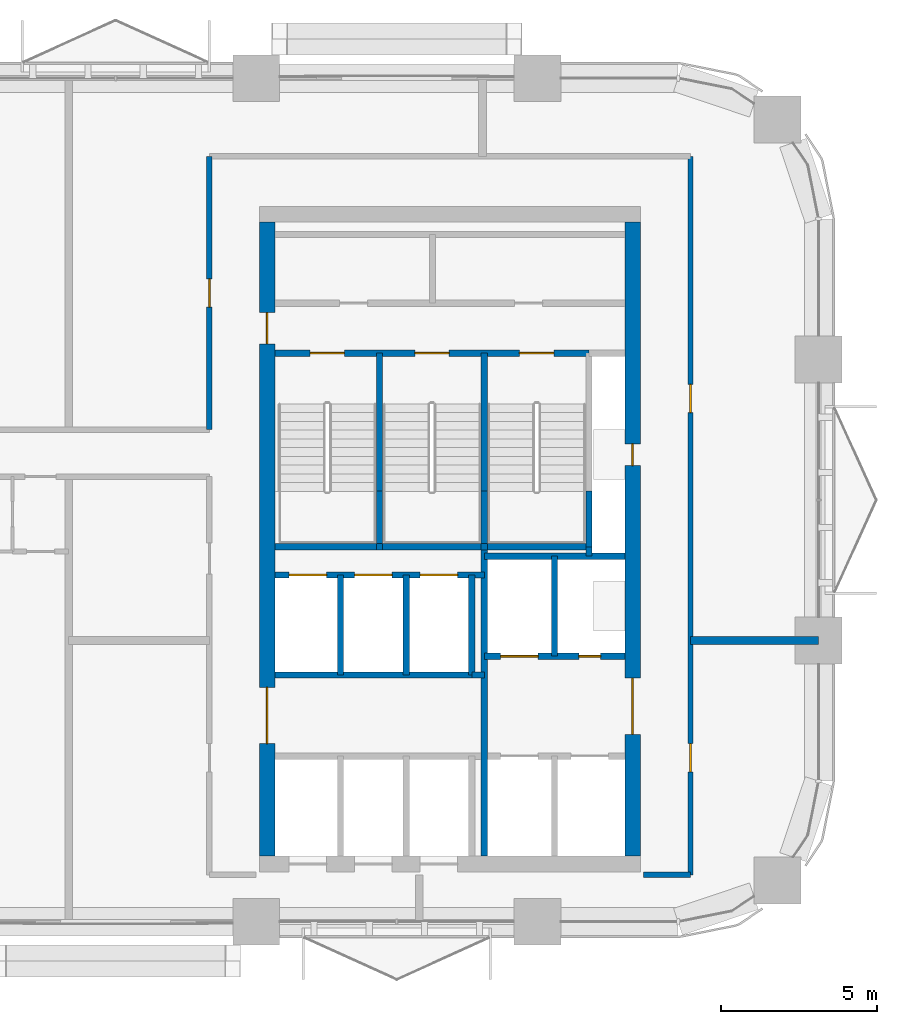
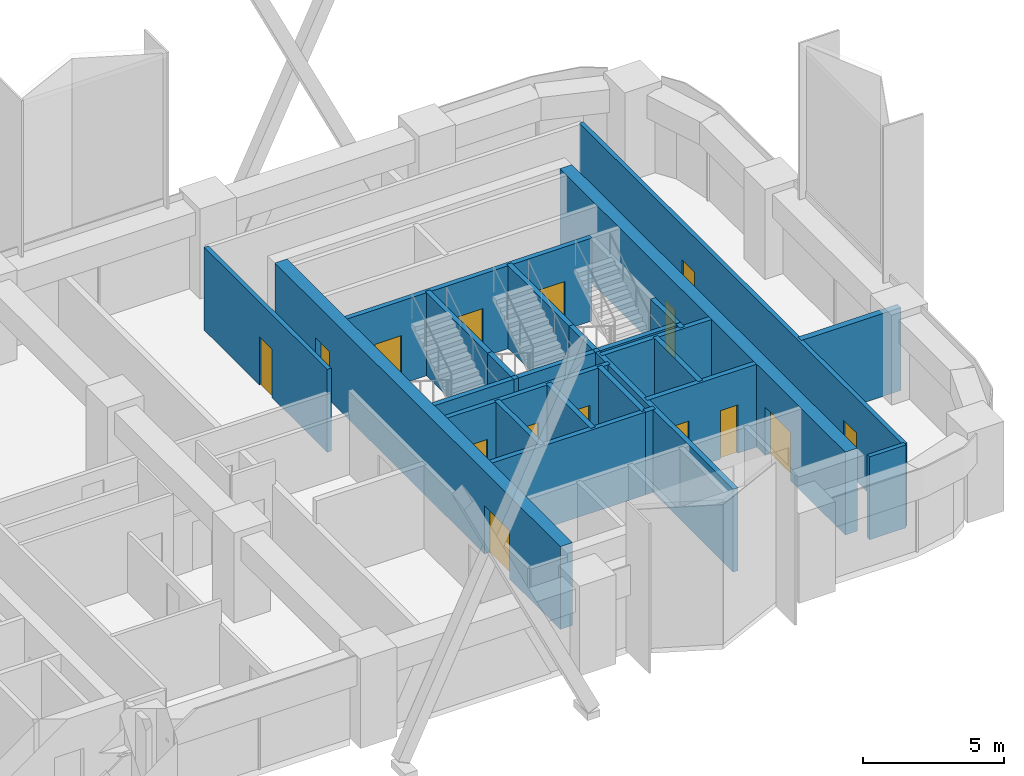
# One storey, part 11 of 14: 28 walls, 15 doors, 15 openings.
"""IFC4 building model written with IfcOpenShell, lengths in metres."""

from ifc_helpers import new_model, si_unit, direction, frame, frame_2d, origin, place, context, subcontext, project, spatial, rectangle, extrude, material, layer, layer_set, type_object, element, fill, save


model = new_model("IFC4")

# Units and contexts
model_context = context("Model", 3, precision=1e-05, world=origin(), true_north=direction((0.0, 1.0)))
body_context = subcontext(model_context, "Body", "Model", "MODEL_VIEW")
ifc_project = project(units=[si_unit("LENGTHUNIT", "METRE"), si_unit("AREAUNIT", "SQUARE_METRE"), si_unit("VOLUMEUNIT", "CUBIC_METRE"), si_unit("PLANEANGLEUNIT", "RADIAN"), si_unit("MASSUNIT", "GRAM", prefix="KILO")], contexts=[model_context])

# Site, building, storey
site_placement = place(None, origin())
site = spatial("IfcSite", under=ifc_project, at=site_placement, CompositionType="ELEMENT")
building_placement = place(site_placement, origin())
building = spatial("IfcBuilding", under=site, at=building_placement, Name="Tessera Arch", CompositionType="ELEMENT")
storey_placement = place(building_placement, frame((0.0, 0.0, 150.5)))
storey = spatial("IfcBuildingStorey", under=building, at=storey_placement, Name="L35", CompositionType="ELEMENT", Elevation=150.5)

# Wall
ifc_material_1 = material(Name="Gypsum board on steel stud", Category="steel")
ifc_layer_1 = layer(ifc_material_1, 0.125)
ifc_layer_set_1 = layer_set([ifc_layer_1], Name="Core partition 125 EI 60")
wall_type_1 = type_object("IfcWallType", Name="Core partition 125 EI 60", PredefinedType="PARTITIONING", material=ifc_layer_set_1)
wall_1_placement = place(storey_placement, frame((42.89990234375, 34.89990234375, 0.0), z_axis=(0.0, 0.0, 1.0), x_axis=(1.0, 0.0, 0.0)))
element("IfcWall", 1, at=wall_1_placement, inside=storey, type_object=wall_type_1, Name="L35 C1 partition wall 19", PredefinedType="PARTITIONING", context=body_context, shape_type="SweptSolid", body=[
    extrude(rectangle(XDim=0.400146484375, YDim=0.199951171875, at=frame_2d((0.2001953125, 0.0))), origin(), (0.0, 0.0, 1.0), 3.60009765625),
])

# Wall, openings, doors
ifc_material_2 = material(Name="Concrete C60/75", Category="concrete")
ifc_layer_2 = layer(ifc_material_2, 0.5)
ifc_layer_set_2 = layer_set([ifc_layer_2], Name="Core shell wall 500 C60-75")
wall_type_2 = type_object("IfcWallType", Name="Core shell wall 500 C60-75", PredefinedType="SHEAR", material=ifc_layer_set_2)
wall_2_placement = place(storey_placement, frame((36.35009765625, 29.10009765625, 0.0), z_axis=(0.0, 0.0, 1.0), x_axis=(0.0, 1.0, 0.0)))
wall_2 = element("IfcWall", 2, at=wall_2_placement, inside=storey, type_object=wall_type_2, Name="L35 C1 core wall W", PredefinedType="SHEAR", context=body_context, shape_type="SweptSolid", body=[
    extrude(rectangle(XDim=20.2998046875, YDim=0.5, at=frame_2d((10.14990234375, 0.0))), origin(), (0.0, 0.0, 1.0), 3.60009765625),
])
opening_1_placement = place(wall_2_placement, frame((3.60009765625, 0.0, 0.0)))
opening_1 = element("IfcOpeningElement", 3, at=opening_1_placement, cuts=wall_2, Name="Opening L35-C10", PredefinedType="OPENING", context=body_context, shape_type="SweptSolid", body=[
    extrude(rectangle(XDim=1.800048828125, YDim=2.10009765625, at=frame_2d((0.89990234375, 1.050048828125))), frame((0.0, 0.260009765625, 0.0), z_axis=(0.0, -1.0, 0.0), x_axis=(1.0, 0.0, 0.0)), (0.0, 0.0, 1.0), 0.52001953125),
])
opening_2_placement = place(wall_2_placement, frame((16.39990234375, 0.0, 0.0)))
opening_2 = element("IfcOpeningElement", 4, at=opening_2_placement, cuts=wall_2, Name="Opening L35-C17", PredefinedType="OPENING", context=body_context, shape_type="SweptSolid", body=[
    extrude(rectangle(XDim=1.0, YDim=2.10009765625, at=frame_2d((0.5, 1.050048828125))), frame((0.0, 0.260009765625, 0.0), z_axis=(0.0, -1.0, 0.0), x_axis=(1.0, 0.0, 0.0)), (0.0, 0.0, 1.0), 0.52001953125),
])
ifc_material_3 = material(Name="Steel door leaf", Category="steel")
door_type_1 = type_object("IfcDoorType", Name="Corridor door FD60 1000 x 2100", OperationType="SINGLE_SWING_LEFT", PredefinedType="DOOR", material=ifc_material_3)
door_1_placement = place(opening_2_placement, origin())
door_1 = element("IfcDoor", 5, at=door_1_placement, inside=storey, type_object=door_type_1, Name="L35 C1 door 17 C17 type D12", OperationType="SINGLE_SWING_RIGHT", OverallHeight=2.10009765625, OverallWidth=1.0, PredefinedType="DOOR", context=body_context, shape_type="SweptSolid", body=[
    extrude(rectangle(XDim=1.0, YDim=2.10009765625, at=frame_2d((0.5, 1.050048828125))), frame((0.0, 0.02490234375, 0.0), z_axis=(0.0, -1.0, 0.0), x_axis=(1.0, 0.0, 0.0)), (0.0, 0.0, 1.0), 0.050048828125),
])
fill(opening_2, door_1)
ifc_material_4 = material(Name="Glazed steel door leaf", Category="steel")
door_type_2 = type_object("IfcDoorType", Name="Lobby double door FD30S 1800 x 2100", OperationType="DOUBLE_DOOR_SINGLE_SWING", PredefinedType="DOOR", material=ifc_material_4)
door_2_placement = place(opening_1_placement, origin())
door_2 = element("IfcDoor", 6, at=door_2_placement, inside=storey, type_object=door_type_2, Name="L35 C1 door 10 C10 type D06", OperationType="DOUBLE_DOOR_SINGLE_SWING", OverallHeight=2.10009765625, OverallWidth=1.800048828125, PredefinedType="DOOR", context=body_context, shape_type="SweptSolid", body=[
    extrude(rectangle(XDim=1.800048828125, YDim=2.10009765625, at=frame_2d((0.89990234375, 1.050048828125))), frame((0.0, 0.02490234375, 0.0), z_axis=(0.0, -1.0, 0.0), x_axis=(1.0, 0.0, 0.0)), (0.0, 0.0, 1.0), 0.050048828125),
])
fill(opening_1, door_2)

wall_3_placement = place(storey_placement, frame((48.050048828125, 29.10009765625, 0.0), z_axis=(0.0, 0.0, 1.0), x_axis=(0.0, 1.0, 0.0)))
wall_3 = element("IfcWall", 7, at=wall_3_placement, inside=storey, type_object=wall_type_2, Name="L35 C1 core wall E", PredefinedType="SHEAR", context=body_context, shape_type="SweptSolid", body=[
    extrude(rectangle(XDim=20.2998046875, YDim=0.5, at=frame_2d((10.14990234375, 0.0))), origin(), (0.0, 0.0, 1.0), 3.60009765625),
])
opening_3_placement = place(wall_3_placement, frame((12.5, 0.0, 0.0)))
opening_3 = element("IfcOpeningElement", 8, at=opening_3_placement, cuts=wall_3, Name="Opening L35-C14", PredefinedType="OPENING", context=body_context, shape_type="SweptSolid", body=[
    extrude(rectangle(XDim=0.699951171875, YDim=2.10009765625, at=frame_2d((0.35009765625, 1.050048828125))), frame((0.0, 0.260009765625, 0.0), z_axis=(0.0, -1.0, 0.0), x_axis=(1.0, 0.0, 0.0)), (0.0, 0.0, 1.0), 0.52001953125),
])
opening_4_placement = place(wall_3_placement, frame((3.89990234375, 0.0, 0.0)))
opening_4 = element("IfcOpeningElement", 9, at=opening_4_placement, cuts=wall_3, Name="Opening L35-C15", PredefinedType="OPENING", context=body_context, shape_type="SweptSolid", body=[
    extrude(rectangle(XDim=1.800048828125, YDim=2.10009765625, at=frame_2d((0.89990234375, 1.050048828125))), frame((0.0, 0.260009765625, 0.0), z_axis=(0.0, -1.0, 0.0), x_axis=(1.0, 0.0, 0.0)), (0.0, 0.0, 1.0), 0.52001953125),
])
ifc_material_5 = material(Name="Glazed steel door leaf", Category="steel")
door_type_3 = type_object("IfcDoorType", Name="Lobby double door FD60 1800 x 2100", OperationType="DOUBLE_DOOR_SINGLE_SWING", PredefinedType="DOOR", material=ifc_material_5)
door_3_placement = place(opening_4_placement, origin())
door_3 = element("IfcDoor", 10, at=door_3_placement, inside=storey, type_object=door_type_3, Name="L35 C1 door 15 C15 type D19", OperationType="DOUBLE_DOOR_SINGLE_SWING", OverallHeight=2.10009765625, OverallWidth=1.800048828125, PredefinedType="DOOR", context=body_context, shape_type="SweptSolid", body=[
    extrude(rectangle(XDim=1.800048828125, YDim=2.10009765625, at=frame_2d((0.89990234375, 1.050048828125))), frame((0.0, 0.02490234375, 0.0), z_axis=(0.0, -1.0, 0.0), x_axis=(1.0, 0.0, 0.0)), (0.0, 0.0, 1.0), 0.050048828125),
])
fill(opening_4, door_3)
ifc_material_6 = material(Name="Steel door leaf", Category="steel")
door_type_4 = type_object("IfcDoorType", Name="Service shaft door FD60 700 x 2100", OperationType="SINGLE_SWING_LEFT", PredefinedType="DOOR", material=ifc_material_6)
door_4_placement = place(opening_3_placement, origin())
door_4 = element("IfcDoor", 11, at=door_4_placement, inside=storey, type_object=door_type_4, Name="L35 C1 door 14 C14 type D07", OperationType="SINGLE_SWING_RIGHT", OverallHeight=2.10009765625, OverallWidth=0.699951171875, PredefinedType="DOOR", context=body_context, shape_type="SweptSolid", body=[
    extrude(rectangle(XDim=0.699951171875, YDim=2.10009765625, at=frame_2d((0.35009765625, 1.050048828125))), frame((0.0, 0.02490234375, 0.0), z_axis=(0.0, -1.0, 0.0), x_axis=(1.0, 0.0, 0.0)), (0.0, 0.0, 1.0), 0.050048828125),
])
fill(opening_3, door_4)

# Wall
ifc_material_7 = material(Name="Gypsum board on deep steel stud with mineral wool", Category="steel")
ifc_layer_3 = layer(ifc_material_7, 0.175048828125)
ifc_layer_set_3 = layer_set([ifc_layer_3], Name="Corridor wall 175 EI 60")
wall_type_3 = type_object("IfcWallType", Name="Corridor wall 175 EI 60", PredefinedType="PARTITIONING", material=ifc_layer_set_3)
wall_4_placement = place(storey_placement, frame((48.39990234375, 28.5, 0.0), z_axis=(0.0, 0.0, 1.0), x_axis=(1.0, 0.0, 0.0)))
element("IfcWall", 12, at=wall_4_placement, inside=storey, type_object=wall_type_3, Name="L35 partition 4", PredefinedType="PARTITIONING", context=body_context, shape_type="SweptSolid", body=[
    extrude(rectangle(XDim=1.5, YDim=0.175048828125, at=frame_2d((0.75, 0.0))), origin(), (0.0, 0.0, 1.0), 3.60009765625),
])

# Wall, opening, door
wall_5_placement = place(storey_placement, frame((34.5, 42.75, 0.0), z_axis=(0.0, 0.0, 1.0), x_axis=(0.0, 1.0, 0.0)))
wall_5 = element("IfcWall", 13, at=wall_5_placement, inside=storey, type_object=wall_type_3, Name="L35 partition 13", PredefinedType="PARTITIONING", context=body_context, shape_type="SweptSolid", body=[
    extrude(rectangle(XDim=8.75, YDim=0.175048828125, at=frame_2d((4.375, 0.0))), origin(), (0.0, 0.0, 1.0), 3.60009765625),
])
opening_5_placement = place(wall_5_placement, frame((3.925048828125, 0.0, 0.0)))
opening_5 = element("IfcOpeningElement", 14, at=opening_5_placement, cuts=wall_5, Name="Opening L35-D014", PredefinedType="OPENING", context=body_context, shape_type="SweptSolid", body=[
    extrude(rectangle(XDim=0.89990234375, YDim=2.10009765625, at=frame_2d((0.449951171875, 1.050048828125))), frame((0.0, 0.097412109375, 0.0), z_axis=(0.0, -1.0, 0.0), x_axis=(1.0, 0.0, 0.0)), (0.0, 0.0, 1.0), 0.195068359375),
])
ifc_material_8 = material(Name="Timber door leaf", Category="wood")
door_type_5 = type_object("IfcDoorType", Name="Room door 900 x 2100", OperationType="SINGLE_SWING_LEFT", PredefinedType="DOOR", material=ifc_material_8)
door_5_placement = place(opening_5_placement, origin())
door_5 = element("IfcDoor", 15, at=door_5_placement, inside=storey, type_object=door_type_5, Name="L35 door D014 type D01", OperationType="SINGLE_SWING_RIGHT", OverallHeight=2.10009765625, OverallWidth=0.89990234375, PredefinedType="DOOR", context=body_context, shape_type="SweptSolid", body=[
    extrude(rectangle(XDim=0.89990234375, YDim=2.10009765625, at=frame_2d((0.449951171875, 1.050048828125))), frame((0.0, 0.02490234375, 0.0), z_axis=(0.0, -1.0, 0.0), x_axis=(1.0, 0.0, 0.0)), (0.0, 0.0, 1.0), 0.050048828125),
])
fill(opening_5, door_5)

# Wall, openings, doors
wall_6_placement = place(storey_placement, frame((49.89990234375, 28.5, 0.0), z_axis=(0.0, 0.0, 1.0), x_axis=(0.0, 1.0, 0.0)))
wall_6 = element("IfcWall", 16, at=wall_6_placement, inside=storey, type_object=wall_type_3, Name="L35 partition 14", PredefinedType="PARTITIONING", context=body_context, shape_type="SweptSolid", body=[
    extrude(rectangle(XDim=23.0, YDim=0.175048828125, at=frame_2d((11.5, 0.0))), origin(), (0.0, 0.0, 1.0), 3.60009765625),
])
opening_6_placement = place(wall_6_placement, frame((3.300048828125, 0.0, 0.0)))
opening_6 = element("IfcOpeningElement", 17, at=opening_6_placement, cuts=wall_6, Name="Opening L35-D002", PredefinedType="OPENING", context=body_context, shape_type="SweptSolid", body=[
    extrude(rectangle(XDim=0.89990234375, YDim=2.10009765625, at=frame_2d((0.449951171875, 1.050048828125))), frame((0.0, 0.097412109375, 0.0), z_axis=(0.0, -1.0, 0.0), x_axis=(1.0, 0.0, 0.0)), (0.0, 0.0, 1.0), 0.195068359375),
])
opening_7_placement = place(wall_6_placement, frame((14.800048828125, 0.0, 0.0)))
opening_7 = element("IfcOpeningElement", 18, at=opening_7_placement, cuts=wall_6, Name="Opening L35-D012", PredefinedType="OPENING", context=body_context, shape_type="SweptSolid", body=[
    extrude(rectangle(XDim=0.89990234375, YDim=2.10009765625, at=frame_2d((0.449951171875, 1.050048828125))), frame((0.0, 0.097412109375, 0.0), z_axis=(0.0, -1.0, 0.0), x_axis=(1.0, 0.0, 0.0)), (0.0, 0.0, 1.0), 0.195068359375),
])
door_6_placement = place(opening_6_placement, origin())
door_6 = element("IfcDoor", 19, at=door_6_placement, inside=storey, type_object=door_type_5, Name="L35 door D002 type D01", OperationType="SINGLE_SWING_LEFT", OverallHeight=2.10009765625, OverallWidth=0.89990234375, PredefinedType="DOOR", context=body_context, shape_type="SweptSolid", body=[
    extrude(rectangle(XDim=0.89990234375, YDim=2.10009765625, at=frame_2d((0.449951171875, 1.050048828125))), frame((0.0, 0.02490234375, 0.0), z_axis=(0.0, -1.0, 0.0), x_axis=(1.0, 0.0, 0.0)), (0.0, 0.0, 1.0), 0.050048828125),
])
fill(opening_6, door_6)
door_7_placement = place(opening_7_placement, origin())
door_7 = element("IfcDoor", 20, at=door_7_placement, inside=storey, type_object=door_type_5, Name="L35 door D012 type D01", OperationType="SINGLE_SWING_LEFT", OverallHeight=2.10009765625, OverallWidth=0.89990234375, PredefinedType="DOOR", context=body_context, shape_type="SweptSolid", body=[
    extrude(rectangle(XDim=0.89990234375, YDim=2.10009765625, at=frame_2d((0.449951171875, 1.050048828125))), frame((0.0, 0.02490234375, 0.0), z_axis=(0.0, -1.0, 0.0), x_axis=(1.0, 0.0, 0.0)), (0.0, 0.0, 1.0), 0.050048828125),
])
fill(opening_7, door_7)

# Walls
ifc_material_9 = material(Name="Double gypsum board on twin steel stud with acoustic mineral wool", Category="steel")
ifc_layer_4 = layer(ifc_material_9, 0.25)
ifc_layer_set_4 = layer_set([ifc_layer_4], Name="Party wall 250 EI 60")
wall_type_4 = type_object("IfcWallType", Name="Party wall 250 EI 60", PredefinedType="PARTITIONING", material=ifc_layer_set_4)
wall_7_placement = place(storey_placement, frame((49.89990234375, 36.0, 0.0), z_axis=(0.0, 0.0, 1.0), x_axis=(1.0, 0.0, 0.0)))
element("IfcWall", 21, at=wall_7_placement, inside=storey, type_object=wall_type_4, Name="L35 partition 20", PredefinedType="PARTITIONING", context=body_context, shape_type="SweptSolid", body=[
    extrude(rectangle(XDim=4.10009765625, YDim=0.25, at=frame_2d((2.050048828125, 0.0))), origin(), (0.0, 0.0, 1.0), 3.60009765625),
])
ifc_material_10 = material(Name="Concrete C40/50", Category="concrete")
ifc_layer_5 = layer(ifc_material_10, 0.199951171875)
ifc_layer_set_5 = layer_set([ifc_layer_5], Name="Shaft wall 200 EI 120")
wall_type_5 = type_object("IfcWallType", Name="Shaft wall 200 EI 120", PredefinedType="SOLIDWALL", material=ifc_layer_set_5)
for number, where, z_axis, x_axis, name in (
    (22, (38.699951171875, 34.89990234375, 0.0), (0.0, 0.0, 1.0), (0.0, 1.0, 0.0), "L35 C1 shaft wall 2"),
    (23, (40.800048828125, 34.89990234375, 0.0), (0.0, 0.0, 1.0), (0.0, 1.0, 0.0), "L35 C1 shaft wall 6"),
    (24, (42.89990234375, 34.89990234375, 0.0), (0.0, 0.0, 1.0), (0.0, 1.0, 0.0), "L35 C1 shaft wall 9"),
):
    element("IfcWall", number, at=place(storey_placement, frame(where, z_axis=z_axis, x_axis=x_axis)), inside=storey, type_object=wall_type_5, Name=name, PredefinedType="SOLIDWALL", context=body_context, shape_type="SweptSolid", body=[
        extrude(rectangle(XDim=3.2001953125, YDim=0.199951171875, at=frame_2d((1.60009765625, 0.0))), origin(), (0.0, 0.0, 1.0), 3.60009765625),
    ])
wall_8_placement = place(storey_placement, frame((43.300048828125, 29.10009765625, 0.0), z_axis=(0.0, 0.0, 1.0), x_axis=(0.0, 1.0, 0.0)))
element("IfcWall", 25, at=wall_8_placement, inside=storey, type_object=wall_type_5, Name="L35 C1 shaft wall 10", PredefinedType="SOLIDWALL", context=body_context, shape_type="SweptSolid", body=[
    extrude(rectangle(XDim=9.89990234375, YDim=0.199951171875, at=frame_2d((4.949951171875, 0.0))), origin(), (0.0, 0.0, 1.0), 3.60009765625),
])
wall_9_placement = place(storey_placement, frame((45.550048828125, 35.5, 0.0), z_axis=(0.0, 0.0, 1.0), x_axis=(0.0, 1.0, 0.0)))
element("IfcWall", 26, at=wall_9_placement, inside=storey, type_object=wall_type_5, Name="L35 C1 shaft wall 14", PredefinedType="SOLIDWALL", context=body_context, shape_type="SweptSolid", body=[
    extrude(rectangle(XDim=3.199951171875, YDim=0.199951171875, at=frame_2d((1.60009765625, 0.0))), origin(), (0.0, 0.0, 1.0), 3.60009765625),
])
wall_10_placement = place(storey_placement, frame((46.64990234375, 38.699951171875, 0.0), z_axis=(0.0, 0.0, 1.0), x_axis=(0.0, 1.0, 0.0)))
element("IfcWall", 27, at=wall_10_placement, inside=storey, type_object=wall_type_5, Name="L35 C1 shaft wall 15", PredefinedType="SOLIDWALL", context=body_context, shape_type="SweptSolid", body=[
    extrude(rectangle(XDim=0.300048828125, YDim=0.199951171875, at=frame_2d((0.14990234375, 0.0))), origin(), (0.0, 0.0, 1.0), 3.60009765625),
])
wall_11_placement = place(storey_placement, frame((36.60009765625, 34.89990234375, 0.0), z_axis=(0.0, 0.0, 1.0), x_axis=(1.0, 0.0, 0.0)))
element("IfcWall", 28, at=wall_11_placement, inside=storey, type_object=wall_type_5, Name="L35 C1 shaft wall 20", PredefinedType="SOLIDWALL", context=body_context, shape_type="SweptSolid", body=[
    extrude(rectangle(XDim=6.2998046875, YDim=0.199951171875, at=frame_2d((3.14990234375, 0.0))), origin(), (0.0, 0.0, 1.0), 3.60009765625),
])

# Wall, openings, doors
wall_12_placement = place(storey_placement, frame((43.300048828125, 35.5, 0.0), z_axis=(0.0, 0.0, 1.0), x_axis=(1.0, 0.0, 0.0)))
wall_12 = element("IfcWall", 29, at=wall_12_placement, inside=storey, type_object=wall_type_5, Name="L35 C1 shaft wall 21", PredefinedType="SOLIDWALL", context=body_context, shape_type="SweptSolid", body=[
    extrude(rectangle(XDim=4.5, YDim=0.199951171875, at=frame_2d((2.25, 0.0))), origin(), (0.0, 0.0, 1.0), 3.60009765625),
])
opening_8_placement = place(wall_12_placement, frame((0.52490234375, 0.0, 0.0)))
opening_8 = element("IfcOpeningElement", 30, at=opening_8_placement, cuts=wall_12, Name="Opening L35-C09", PredefinedType="OPENING", context=body_context, shape_type="SweptSolid", body=[
    extrude(rectangle(XDim=1.199951171875, YDim=2.10009765625, at=frame_2d((0.60009765625, 1.050048828125))), frame((0.0, 0.10986328125, 0.0), z_axis=(0.0, -1.0, 0.0), x_axis=(1.0, 0.0, 0.0)), (0.0, 0.0, 1.0), 0.219970703125),
])
opening_9_placement = place(wall_12_placement, frame((3.02490234375, 0.0, 0.0)))
opening_9 = element("IfcOpeningElement", 31, at=opening_9_placement, cuts=wall_12, Name="Opening L35-C16", PredefinedType="OPENING", context=body_context, shape_type="SweptSolid", body=[
    extrude(rectangle(XDim=0.699951171875, YDim=2.10009765625, at=frame_2d((0.35009765625, 1.050048828125))), frame((0.0, 0.10986328125, 0.0), z_axis=(0.0, -1.0, 0.0), x_axis=(1.0, 0.0, 0.0)), (0.0, 0.0, 1.0), 0.219970703125),
])
door_8_placement = place(opening_9_placement, origin())
door_8 = element("IfcDoor", 32, at=door_8_placement, inside=storey, type_object=door_type_4, Name="L35 C1 door 16 C16 type D07", OperationType="SINGLE_SWING_RIGHT", OverallHeight=2.10009765625, OverallWidth=0.699951171875, PredefinedType="DOOR", context=body_context, shape_type="SweptSolid", body=[
    extrude(rectangle(XDim=0.699951171875, YDim=2.10009765625, at=frame_2d((0.35009765625, 1.050048828125))), frame((0.0, 0.02490234375, 0.0), z_axis=(0.0, -1.0, 0.0), x_axis=(1.0, 0.0, 0.0)), (0.0, 0.0, 1.0), 0.050048828125),
])
fill(opening_9, door_8)
ifc_material_11 = material(Name="Stainless steel AISI 304", Category="steel")
door_type_6 = type_object("IfcDoorType", Name="Sliding landing door 1200 x 2100", OperationType="SLIDING_TO_LEFT", PredefinedType="DOOR", material=ifc_material_11)
door_9_placement = place(opening_8_placement, origin())
door_9 = element("IfcDoor", 33, at=door_9_placement, inside=storey, type_object=door_type_6, Name="L35 SV2 lift landing door C09 type LD", OperationType="SLIDING_TO_LEFT", OverallHeight=2.10009765625, OverallWidth=1.199951171875, PredefinedType="DOOR", context=body_context, shape_type="SweptSolid", body=[
    extrude(rectangle(XDim=1.199951171875, YDim=2.10009765625, at=frame_2d((0.60009765625, 1.050048828125))), frame((0.0, 0.02490234375, 0.0), z_axis=(0.0, -1.0, 0.0), x_axis=(1.0, 0.0, 0.0)), (0.0, 0.0, 1.0), 0.050048828125),
])
fill(opening_8, door_9)

wall_13_placement = place(storey_placement, frame((36.60009765625, 38.10009765625, 0.0), z_axis=(0.0, 0.0, 1.0), x_axis=(1.0, 0.0, 0.0)))
wall_13 = element("IfcWall", 34, at=wall_13_placement, inside=storey, type_object=wall_type_5, Name="L35 C1 shaft wall 22", PredefinedType="SOLIDWALL", context=body_context, shape_type="SweptSolid", body=[
    extrude(rectangle(XDim=6.699951171875, YDim=0.199951171875, at=frame_2d((3.35009765625, 0.0))), origin(), (0.0, 0.0, 1.0), 3.60009765625),
])
opening_10_placement = place(wall_13_placement, frame((0.449951171875, 0.0, 0.0)))
opening_10 = element("IfcOpeningElement", 35, at=opening_10_placement, cuts=wall_13, Name="Opening L35-C02", PredefinedType="OPENING", context=body_context, shape_type="SweptSolid", body=[
    extrude(rectangle(XDim=1.199951171875, YDim=2.10009765625, at=frame_2d((0.60009765625, 1.050048828125))), frame((0.0, 0.10986328125, 0.0), z_axis=(0.0, -1.0, 0.0), x_axis=(1.0, 0.0, 0.0)), (0.0, 0.0, 1.0), 0.219970703125),
])
opening_11_placement = place(wall_13_placement, frame((2.550048828125, 0.0, 0.0)))
opening_11 = element("IfcOpeningElement", 36, at=opening_11_placement, cuts=wall_13, Name="Opening L35-C04", PredefinedType="OPENING", context=body_context, shape_type="SweptSolid", body=[
    extrude(rectangle(XDim=1.199951171875, YDim=2.10009765625, at=frame_2d((0.60009765625, 1.050048828125))), frame((0.0, 0.10986328125, 0.0), z_axis=(0.0, -1.0, 0.0), x_axis=(1.0, 0.0, 0.0)), (0.0, 0.0, 1.0), 0.219970703125),
])
opening_12_placement = place(wall_13_placement, frame((4.64990234375, 0.0, 0.0)))
opening_12 = element("IfcOpeningElement", 37, at=opening_12_placement, cuts=wall_13, Name="Opening L35-C06", PredefinedType="OPENING", context=body_context, shape_type="SweptSolid", body=[
    extrude(rectangle(XDim=1.199951171875, YDim=2.10009765625, at=frame_2d((0.60009765625, 1.050048828125))), frame((0.0, 0.10986328125, 0.0), z_axis=(0.0, -1.0, 0.0), x_axis=(1.0, 0.0, 0.0)), (0.0, 0.0, 1.0), 0.219970703125),
])
door_10_placement = place(opening_10_placement, origin())
door_10 = element("IfcDoor", 38, at=door_10_placement, inside=storey, type_object=door_type_6, Name="L35 HR4 lift landing door C02 type LD", OperationType="SLIDING_TO_LEFT", OverallHeight=2.10009765625, OverallWidth=1.199951171875, PredefinedType="DOOR", context=body_context, shape_type="SweptSolid", body=[
    extrude(rectangle(XDim=1.199951171875, YDim=2.10009765625, at=frame_2d((0.60009765625, 1.050048828125))), frame((0.0, 0.02490234375, 0.0), z_axis=(0.0, -1.0, 0.0), x_axis=(1.0, 0.0, 0.0)), (0.0, 0.0, 1.0), 0.050048828125),
])
fill(opening_10, door_10)
door_11_placement = place(opening_11_placement, origin())
door_11 = element("IfcDoor", 39, at=door_11_placement, inside=storey, type_object=door_type_6, Name="L35 HR5 lift landing door C04 type LD", OperationType="SLIDING_TO_LEFT", OverallHeight=2.10009765625, OverallWidth=1.199951171875, PredefinedType="DOOR", context=body_context, shape_type="SweptSolid", body=[
    extrude(rectangle(XDim=1.199951171875, YDim=2.10009765625, at=frame_2d((0.60009765625, 1.050048828125))), frame((0.0, 0.02490234375, 0.0), z_axis=(0.0, -1.0, 0.0), x_axis=(1.0, 0.0, 0.0)), (0.0, 0.0, 1.0), 0.050048828125),
])
fill(opening_11, door_11)
door_12_placement = place(opening_12_placement, origin())
door_12 = element("IfcDoor", 40, at=door_12_placement, inside=storey, type_object=door_type_6, Name="L35 HR6 lift landing door C06 type LD", OperationType="SLIDING_TO_LEFT", OverallHeight=2.10009765625, OverallWidth=1.199951171875, PredefinedType="DOOR", context=body_context, shape_type="SweptSolid", body=[
    extrude(rectangle(XDim=1.199951171875, YDim=2.10009765625, at=frame_2d((0.60009765625, 1.050048828125))), frame((0.0, 0.02490234375, 0.0), z_axis=(0.0, -1.0, 0.0), x_axis=(1.0, 0.0, 0.0)), (0.0, 0.0, 1.0), 0.050048828125),
])
fill(opening_12, door_12)

# Walls
wall_14_placement = place(storey_placement, frame((43.300048828125, 38.699951171875, 0.0), z_axis=(0.0, 0.0, 1.0), x_axis=(1.0, 0.0, 0.0)))
element("IfcWall", 41, at=wall_14_placement, inside=storey, type_object=wall_type_5, Name="L35 C1 shaft wall 23", PredefinedType="SOLIDWALL", context=body_context, shape_type="SweptSolid", body=[
    extrude(rectangle(XDim=4.5, YDim=0.199951171875, at=frame_2d((2.25, 0.0))), origin(), (0.0, 0.0, 1.0), 3.60009765625),
])
ifc_material_12 = material(Name="Concrete C40/50", Category="concrete")
ifc_layer_6 = layer(ifc_material_12, 0.199951171875)
ifc_layer_set_6 = layer_set([ifc_layer_6], Name="Stair well wall 200 REI 180")
wall_type_6 = type_object("IfcWallType", Name="Stair well wall 200 REI 180", PredefinedType="SOLIDWALL", material=ifc_layer_set_6)
wall_15_placement = place(storey_placement, frame((39.949951171875, 39.0, 0.0), z_axis=(0.0, 0.0, 1.0), x_axis=(0.0, 1.0, 0.0)))
element("IfcWall", 42, at=wall_15_placement, inside=storey, type_object=wall_type_6, Name="L35 C1 shaft wall 3", PredefinedType="SOLIDWALL", context=body_context, shape_type="SweptSolid", body=[
    extrude(rectangle(XDim=1.780029296875, YDim=0.199951171875, at=frame_2d((0.89013671875, 0.0))), origin(), (0.0, 0.0, 1.0), 3.60009765625),
])
wall_16_placement = place(storey_placement, frame((39.949951171875, 40.780029296875, 0.0), z_axis=(0.0, 0.0, 1.0), x_axis=(0.0, 1.0, 0.0)))
element("IfcWall", 43, at=wall_16_placement, inside=storey, type_object=wall_type_6, Name="L35 C1 shaft wall 4", PredefinedType="SOLIDWALL", context=body_context, shape_type="SweptSolid", body=[
    extrude(rectangle(XDim=4.419921875, YDim=0.199951171875, at=frame_2d((2.2099609375, 0.0))), origin(), (0.0, 0.0, 1.0), 3.60009765625),
])
wall_17_placement = place(storey_placement, frame((43.300048828125, 39.0, 0.0), z_axis=(0.0, 0.0, 1.0), x_axis=(0.0, 1.0, 0.0)))
element("IfcWall", 44, at=wall_17_placement, inside=storey, type_object=wall_type_6, Name="L35 C1 shaft wall 11", PredefinedType="SOLIDWALL", context=body_context, shape_type="SweptSolid", body=[
    extrude(rectangle(XDim=1.780029296875, YDim=0.199951171875, at=frame_2d((0.89013671875, 0.0))), origin(), (0.0, 0.0, 1.0), 3.60009765625),
])
wall_18_placement = place(storey_placement, frame((43.300048828125, 40.780029296875, 0.0), z_axis=(0.0, 0.0, 1.0), x_axis=(0.0, 1.0, 0.0)))
element("IfcWall", 45, at=wall_18_placement, inside=storey, type_object=wall_type_6, Name="L35 C1 shaft wall 12", PredefinedType="SOLIDWALL", context=body_context, shape_type="SweptSolid", body=[
    extrude(rectangle(XDim=4.419921875, YDim=0.199951171875, at=frame_2d((2.2099609375, 0.0))), origin(), (0.0, 0.0, 1.0), 3.60009765625),
])
wall_19_placement = place(storey_placement, frame((46.64990234375, 39.0, 0.0), z_axis=(0.0, 0.0, 1.0), x_axis=(0.0, 1.0, 0.0)))
element("IfcWall", 46, at=wall_19_placement, inside=storey, type_object=wall_type_6, Name="L35 C1 shaft wall 16", PredefinedType="SOLIDWALL", context=body_context, shape_type="SweptSolid", body=[
    extrude(rectangle(XDim=1.780029296875, YDim=0.199951171875, at=frame_2d((0.89013671875, 0.0))), origin(), (0.0, 0.0, 1.0), 3.60009765625),
])
wall_20_placement = place(storey_placement, frame((36.60009765625, 39.0, 0.0), z_axis=(0.0, 0.0, 1.0), x_axis=(1.0, 0.0, 0.0)))
element("IfcWall", 47, at=wall_20_placement, inside=storey, type_object=wall_type_6, Name="L35 C1 shaft wall 24", PredefinedType="SOLIDWALL", context=body_context, shape_type="SweptSolid", body=[
    extrude(rectangle(XDim=3.25, YDim=0.199951171875, at=frame_2d((1.625, 0.0))), origin(), (0.0, 0.0, 1.0), 3.60009765625),
])
wall_21_placement = place(storey_placement, frame((39.85009765625, 39.0, 0.0), z_axis=(0.0, 0.0, 1.0), x_axis=(1.0, 0.0, 0.0)))
element("IfcWall", 48, at=wall_21_placement, inside=storey, type_object=wall_type_6, Name="L35 C1 shaft wall 25", PredefinedType="SOLIDWALL", context=body_context, shape_type="SweptSolid", body=[
    extrude(rectangle(XDim=0.199951171875, YDim=0.199951171875, at=frame_2d((0.10009765625, 0.0))), origin(), (0.0, 0.0, 1.0), 3.60009765625),
])
wall_22_placement = place(storey_placement, frame((40.050048828125, 39.0, 0.0), z_axis=(0.0, 0.0, 1.0), x_axis=(1.0, 0.0, 0.0)))
element("IfcWall", 49, at=wall_22_placement, inside=storey, type_object=wall_type_6, Name="L35 C1 shaft wall 26", PredefinedType="SOLIDWALL", context=body_context, shape_type="SweptSolid", body=[
    extrude(rectangle(XDim=3.14990234375, YDim=0.199951171875, at=frame_2d((1.574951171875, 0.0))), origin(), (0.0, 0.0, 1.0), 3.60009765625),
])
wall_23_placement = place(storey_placement, frame((43.199951171875, 39.0, 0.0), z_axis=(0.0, 0.0, 1.0), x_axis=(1.0, 0.0, 0.0)))
element("IfcWall", 50, at=wall_23_placement, inside=storey, type_object=wall_type_6, Name="L35 C1 shaft wall 27", PredefinedType="SOLIDWALL", context=body_context, shape_type="SweptSolid", body=[
    extrude(rectangle(XDim=0.199951171875, YDim=0.199951171875, at=frame_2d((0.10009765625, 0.0))), origin(), (0.0, 0.0, 1.0), 3.60009765625),
])
wall_24_placement = place(storey_placement, frame((43.39990234375, 39.0, 0.0), z_axis=(0.0, 0.0, 1.0), x_axis=(1.0, 0.0, 0.0)))
element("IfcWall", 51, at=wall_24_placement, inside=storey, type_object=wall_type_6, Name="L35 C1 shaft wall 28", PredefinedType="SOLIDWALL", context=body_context, shape_type="SweptSolid", body=[
    extrude(rectangle(XDim=3.25, YDim=0.199951171875, at=frame_2d((1.625, 0.0))), origin(), (0.0, 0.0, 1.0), 3.60009765625),
])

# Wall, openings, doors
wall_25_placement = place(storey_placement, frame((36.60009765625, 45.199951171875, 0.0), z_axis=(0.0, 0.0, 1.0), x_axis=(1.0, 0.0, 0.0)))
wall_25 = element("IfcWall", 52, at=wall_25_placement, inside=storey, type_object=wall_type_6, Name="L35 C1 shaft wall 30", PredefinedType="SOLIDWALL", context=body_context, shape_type="SweptSolid", body=[
    extrude(rectangle(XDim=10.0498046875, YDim=0.199951171875, at=frame_2d((5.02490234375, 0.0))), origin(), (0.0, 0.0, 1.0), 3.60009765625),
])
opening_13_placement = place(wall_25_placement, frame((1.125, 0.0, 0.0)))
opening_13 = element("IfcOpeningElement", 53, at=opening_13_placement, cuts=wall_25, Name="Opening L35-C11", PredefinedType="OPENING", context=body_context, shape_type="SweptSolid", body=[
    extrude(rectangle(XDim=1.10009765625, YDim=2.10009765625, at=frame_2d((0.550048828125, 1.050048828125))), frame((0.0, 0.10986328125, 0.0), z_axis=(0.0, -1.0, 0.0), x_axis=(1.0, 0.0, 0.0)), (0.0, 0.0, 1.0), 0.219970703125),
])
opening_14_placement = place(wall_25_placement, frame((4.47509765625, 0.0, 0.0)))
opening_14 = element("IfcOpeningElement", 54, at=opening_14_placement, cuts=wall_25, Name="Opening L35-C12", PredefinedType="OPENING", context=body_context, shape_type="SweptSolid", body=[
    extrude(rectangle(XDim=1.10009765625, YDim=2.10009765625, at=frame_2d((0.550048828125, 1.050048828125))), frame((0.0, 0.10986328125, 0.0), z_axis=(0.0, -1.0, 0.0), x_axis=(1.0, 0.0, 0.0)), (0.0, 0.0, 1.0), 0.219970703125),
])
opening_15_placement = place(wall_25_placement, frame((7.824951171875, 0.0, 0.0)))
opening_15 = element("IfcOpeningElement", 55, at=opening_15_placement, cuts=wall_25, Name="Opening L35-C13", PredefinedType="OPENING", context=body_context, shape_type="SweptSolid", body=[
    extrude(rectangle(XDim=1.10009765625, YDim=2.10009765625, at=frame_2d((0.550048828125, 1.050048828125))), frame((0.0, 0.10986328125, 0.0), z_axis=(0.0, -1.0, 0.0), x_axis=(1.0, 0.0, 0.0)), (0.0, 0.0, 1.0), 0.219970703125),
])
ifc_material_13 = material(Name="Steel door leaf", Category="steel")
door_type_7 = type_object("IfcDoorType", Name="Stair door FD60 1100 x 2100", OperationType="SINGLE_SWING_LEFT", PredefinedType="DOOR", material=ifc_material_13)
door_13_placement = place(opening_13_placement, origin())
door_13 = element("IfcDoor", 56, at=door_13_placement, inside=storey, type_object=door_type_7, Name="L35 C1 door 11 C11 type D05", OperationType="SINGLE_SWING_LEFT", OverallHeight=2.10009765625, OverallWidth=1.10009765625, PredefinedType="DOOR", context=body_context, shape_type="SweptSolid", body=[
    extrude(rectangle(XDim=1.10009765625, YDim=2.10009765625, at=frame_2d((0.550048828125, 1.050048828125))), frame((0.0, 0.02490234375, 0.0), z_axis=(0.0, -1.0, 0.0), x_axis=(1.0, 0.0, 0.0)), (0.0, 0.0, 1.0), 0.050048828125),
])
fill(opening_13, door_13)
door_14_placement = place(opening_14_placement, origin())
door_14 = element("IfcDoor", 57, at=door_14_placement, inside=storey, type_object=door_type_7, Name="L35 C1 door 12 C12 type D05", OperationType="SINGLE_SWING_RIGHT", OverallHeight=2.10009765625, OverallWidth=1.10009765625, PredefinedType="DOOR", context=body_context, shape_type="SweptSolid", body=[
    extrude(rectangle(XDim=1.10009765625, YDim=2.10009765625, at=frame_2d((0.550048828125, 1.050048828125))), frame((0.0, 0.02490234375, 0.0), z_axis=(0.0, -1.0, 0.0), x_axis=(1.0, 0.0, 0.0)), (0.0, 0.0, 1.0), 0.050048828125),
])
fill(opening_14, door_14)
door_15_placement = place(opening_15_placement, origin())
door_15 = element("IfcDoor", 58, at=door_15_placement, inside=storey, type_object=door_type_7, Name="L35 C1 door 13 C13 type D05", OperationType="SINGLE_SWING_RIGHT", OverallHeight=2.10009765625, OverallWidth=1.10009765625, PredefinedType="DOOR", context=body_context, shape_type="SweptSolid", body=[
    extrude(rectangle(XDim=1.10009765625, YDim=2.10009765625, at=frame_2d((0.550048828125, 1.050048828125))), frame((0.0, 0.02490234375, 0.0), z_axis=(0.0, -1.0, 0.0), x_axis=(1.0, 0.0, 0.0)), (0.0, 0.0, 1.0), 0.050048828125),
])
fill(opening_15, door_15)

save(model, "model.ifc")
